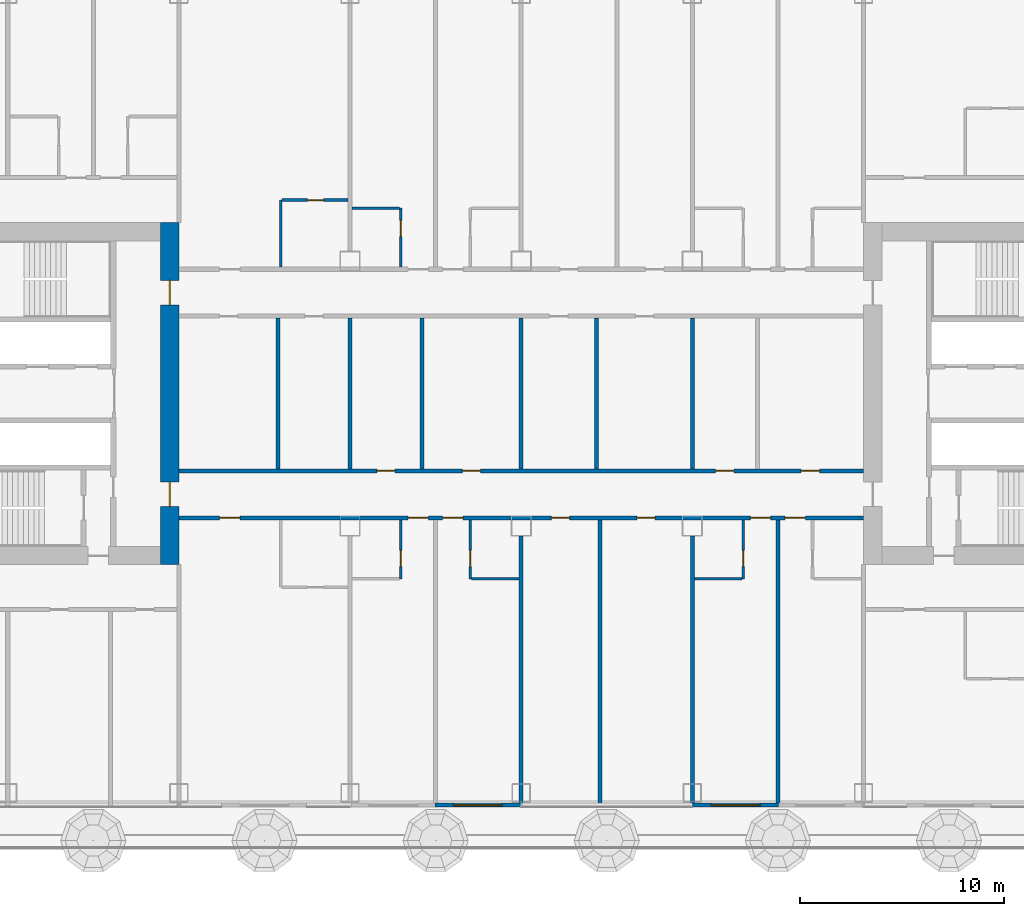
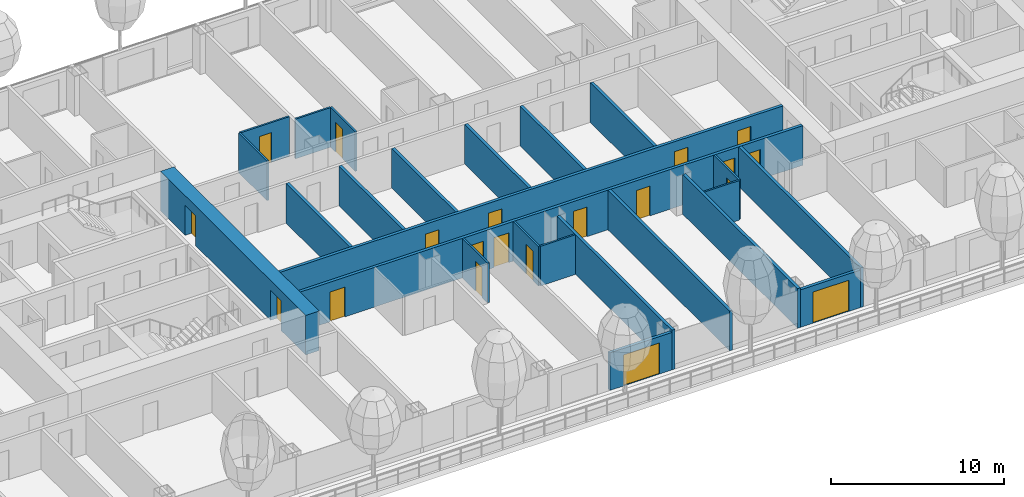
# One storey, part 14 of 36: 24 walls, 20 doors, 20 openings, 1 element without a shape of its own.
"""IFC4 building model written with IfcOpenShell, lengths in metres."""

from ifc_helpers import new_model, si_unit, direction, frame, frame_2d, origin, place, context, subcontext, project, spatial, rectangle, extrude, material, layer, layer_set, type_object, element, fill, aggregate, save


model = new_model("IFC4")

# Units and contexts
model_context = context("Model", 3, precision=1e-05, world=origin(), true_north=direction((0.0, 1.0)))
body_context = subcontext(model_context, "Body", "Model", "MODEL_VIEW")
ifc_project = project(units=[si_unit("LENGTHUNIT", "METRE"), si_unit("AREAUNIT", "SQUARE_METRE"), si_unit("VOLUMEUNIT", "CUBIC_METRE"), si_unit("PLANEANGLEUNIT", "RADIAN"), si_unit("MASSUNIT", "GRAM", prefix="KILO")], contexts=[model_context])

# Site, building, storey
site_placement = place(None, origin())
site = spatial("IfcSite", under=ifc_project, at=site_placement, CompositionType="ELEMENT")
building_placement = place(site_placement, origin())
building = spatial("IfcBuilding", under=site, at=building_placement, Name="Hakoniwa Tower and Hamabe Station Hall", CompositionType="ELEMENT")
storey_placement = place(building_placement, frame((0.0, 0.0, 26.199951171875)))
storey = spatial("IfcBuildingStorey", under=building, at=storey_placement, Name="L06", CompositionType="ELEMENT", Elevation=26.199951171875)

# Walls
ifc_material_1 = material(Name="Gypsum board partition", Category="gypsum")
ifc_layer_1 = layer(ifc_material_1, 0.125)
ifc_layer_set_1 = layer_set([ifc_layer_1], Name="Bathroom Partition 125")
wall_type_1 = type_object("IfcWallType", Name="Bathroom Partition 125", PredefinedType="PARTITIONING", material=ifc_layer_set_1)
for number, where, z_axis, x_axis, name in (
    (1, (-2.4375, -9.10009765625, 0.0), (0.0, 0.0, 1.0), (1.0, 0.0, 0.0), "GW-L06-011"),
    (2, (8.5, -9.10009765625, 0.0), (0.0, 0.0, 1.0), (1.0, 0.0, 0.0), "GW-L06-012"),
):
    element("IfcWall", number, at=place(storey_placement, frame(where, z_axis=z_axis, x_axis=x_axis)), inside=storey, type_object=wall_type_1, Name=name, PredefinedType="PARTITIONING", context=body_context, shape_type="SweptSolid", body=[
        extrude(rectangle(XDim=2.33740234375, YDim=0.125, at=frame_2d((1.168701171875, 0.0))), origin(), (0.0, 0.0, 1.0), 2.800048828125),
    ])
wall_1_placement = place(storey_placement, frame((-8.300048828125, 9.10009765625, 0.0), z_axis=(0.0, 0.0, 1.0), x_axis=(1.0, 0.0, 0.0)))
element("IfcWall", 3, at=wall_1_placement, inside=storey, type_object=wall_type_1, Name="GW-L06-034", PredefinedType="PARTITIONING", context=body_context, shape_type="SweptSolid", body=[
    extrude(rectangle(XDim=2.337646484375, YDim=0.125, at=frame_2d((1.1689453125, 0.0))), origin(), (0.0, 0.0, 1.0), 2.800048828125),
])

# Wall, opening, door
wall_2_placement = place(storey_placement, frame((-11.737548828125, 9.5, 0.0), z_axis=(0.0, 0.0, 1.0), x_axis=(1.0, 0.0, 0.0)))
wall_2 = element("IfcWall", 4, at=wall_2_placement, inside=storey, type_object=wall_type_1, Name="GW-L06-038", PredefinedType="PARTITIONING", context=body_context, shape_type="SweptSolid", body=[
    extrude(rectangle(XDim=3.237548828125, YDim=0.125, at=frame_2d((1.61865234375, 0.0))), origin(), (0.0, 0.0, 1.0), 2.800048828125),
])
opening_1_placement = place(wall_2_placement, frame((1.237548828125, 0.0, 0.0)))
opening_1 = element("IfcOpeningElement", 5, at=opening_1_placement, cuts=wall_2, Name="Opening GD-G1C0-52", PredefinedType="OPENING", context=body_context, shape_type="SweptSolid", body=[
    extrude(rectangle(XDim=0.800048828125, YDim=2.10009765625, at=frame_2d((0.39990234375, 1.050048828125))), frame((0.0, 0.072509765625, 0.0), z_axis=(0.0, -1.0, 0.0), x_axis=(1.0, 0.0, 0.0)), (0.0, 0.0, 1.0), 0.14501953125),
])
ifc_material_2 = material(Name="Timber door leaf", Category="wood")
door_type_1 = type_object("IfcDoorType", Name="Bathroom Door 800", OperationType="SINGLE_SWING_LEFT", PredefinedType="DOOR", material=ifc_material_2)
door_1_placement = place(opening_1_placement, origin())
door_1 = element("IfcDoor", 6, at=door_1_placement, inside=storey, type_object=door_type_1, Name="Door GD-G1C0-52", OperationType="SINGLE_SWING_LEFT", OverallHeight=2.10009765625, OverallWidth=0.800048828125, PredefinedType="DOOR", context=body_context, shape_type="SweptSolid", body=[
    extrude(rectangle(XDim=0.800048828125, YDim=2.10009765625, at=frame_2d((0.39990234375, 1.050048828125))), frame((0.0, 0.02490234375, 0.0), z_axis=(0.0, -1.0, 0.0), x_axis=(1.0, 0.0, 0.0)), (0.0, 0.0, 1.0), 0.050048828125),
])
fill(opening_1, door_1)

# Wall
wall_3_placement = place(storey_placement, frame((-11.800048828125, 6.199951171875, 0.0), z_axis=(0.0, 0.0, 1.0), x_axis=(0.0, 1.0, 0.0)))
element("IfcWall", 7, at=wall_3_placement, inside=storey, type_object=wall_type_1, Name="GW-L06-082", PredefinedType="PARTITIONING", context=body_context, shape_type="SweptSolid", body=[
    extrude(rectangle(XDim=3.300048828125, YDim=0.125, at=frame_2d((1.64990234375, 0.0))), origin(), (0.0, 0.0, 1.0), 2.800048828125),
])

# Wall, opening, door
wall_4_placement = place(storey_placement, frame((-5.89990234375, -9.10009765625, 0.0), z_axis=(0.0, 0.0, 1.0), x_axis=(0.0, 1.0, 0.0)))
wall_4 = element("IfcWall", 8, at=wall_4_placement, inside=storey, type_object=wall_type_1, Name="GW-L06-086", PredefinedType="PARTITIONING", context=body_context, shape_type="SweptSolid", body=[
    extrude(rectangle(XDim=2.900146484375, YDim=0.125, at=frame_2d((1.4501953125, 0.0))), origin(), (0.0, 0.0, 1.0), 2.800048828125),
])
opening_2_placement = place(wall_4_placement, frame((0.60009765625, 0.0, 0.0)))
opening_2 = element("IfcOpeningElement", 9, at=opening_2_placement, cuts=wall_4, Name="Opening GD-G1C0-77", PredefinedType="OPENING", context=body_context, shape_type="SweptSolid", body=[
    extrude(rectangle(XDim=0.800048828125, YDim=2.10009765625, at=frame_2d((0.39990234375, 1.050048828125))), frame((0.0, 0.072509765625, 0.0), z_axis=(0.0, -1.0, 0.0), x_axis=(1.0, 0.0, 0.0)), (0.0, 0.0, 1.0), 0.14501953125),
])
door_2_placement = place(opening_2_placement, origin())
door_2 = element("IfcDoor", 10, at=door_2_placement, inside=storey, type_object=door_type_1, Name="Door GD-G1C0-77", OperationType="SINGLE_SWING_RIGHT", OverallHeight=2.10009765625, OverallWidth=0.800048828125, PredefinedType="DOOR", context=body_context, shape_type="SweptSolid", body=[
    extrude(rectangle(XDim=0.800048828125, YDim=2.10009765625, at=frame_2d((0.39990234375, 1.050048828125))), frame((0.0, 0.02490234375, 0.0), z_axis=(0.0, -1.0, 0.0), x_axis=(1.0, 0.0, 0.0)), (0.0, 0.0, 1.0), 0.050048828125),
])
fill(opening_2, door_2)

wall_5_placement = place(storey_placement, frame((-5.89990234375, 6.199951171875, 0.0), z_axis=(0.0, 0.0, 1.0), x_axis=(0.0, 1.0, 0.0)))
wall_5 = element("IfcWall", 11, at=wall_5_placement, inside=storey, type_object=wall_type_1, Name="GW-L06-087", PredefinedType="PARTITIONING", context=body_context, shape_type="SweptSolid", body=[
    extrude(rectangle(XDim=2.900146484375, YDim=0.125, at=frame_2d((1.4501953125, 0.0))), origin(), (0.0, 0.0, 1.0), 2.800048828125),
])
opening_3_placement = place(wall_5_placement, frame((1.5, 0.0, 0.0)))
opening_3 = element("IfcOpeningElement", 12, at=opening_3_placement, cuts=wall_5, Name="Opening GD-G1C0-78", PredefinedType="OPENING", context=body_context, shape_type="SweptSolid", body=[
    extrude(rectangle(XDim=0.800048828125, YDim=2.10009765625, at=frame_2d((0.39990234375, 1.050048828125))), frame((0.0, 0.072509765625, 0.0), z_axis=(0.0, -1.0, 0.0), x_axis=(1.0, 0.0, 0.0)), (0.0, 0.0, 1.0), 0.14501953125),
])
door_3_placement = place(opening_3_placement, origin())
door_3 = element("IfcDoor", 13, at=door_3_placement, inside=storey, type_object=door_type_1, Name="Door GD-G1C0-78", OperationType="SINGLE_SWING_LEFT", OverallHeight=2.10009765625, OverallWidth=0.800048828125, PredefinedType="DOOR", context=body_context, shape_type="SweptSolid", body=[
    extrude(rectangle(XDim=0.800048828125, YDim=2.10009765625, at=frame_2d((0.39990234375, 1.050048828125))), frame((0.0, 0.02490234375, 0.0), z_axis=(0.0, -1.0, 0.0), x_axis=(1.0, 0.0, 0.0)), (0.0, 0.0, 1.0), 0.050048828125),
])
fill(opening_3, door_3)

wall_6_placement = place(storey_placement, frame((-2.5, -9.10009765625, 0.0), z_axis=(0.0, 0.0, 1.0), x_axis=(0.0, 1.0, 0.0)))
wall_6 = element("IfcWall", 14, at=wall_6_placement, inside=storey, type_object=wall_type_1, Name="GW-L06-091", PredefinedType="PARTITIONING", context=body_context, shape_type="SweptSolid", body=[
    extrude(rectangle(XDim=2.900146484375, YDim=0.125, at=frame_2d((1.4501953125, 0.0))), origin(), (0.0, 0.0, 1.0), 2.800048828125),
])
opening_4_placement = place(wall_6_placement, frame((0.60009765625, 0.0, 0.0)))
opening_4 = element("IfcOpeningElement", 15, at=opening_4_placement, cuts=wall_6, Name="Opening GD-G1C0-79", PredefinedType="OPENING", context=body_context, shape_type="SweptSolid", body=[
    extrude(rectangle(XDim=0.800048828125, YDim=2.10009765625, at=frame_2d((0.39990234375, 1.050048828125))), frame((0.0, 0.072509765625, 0.0), z_axis=(0.0, -1.0, 0.0), x_axis=(1.0, 0.0, 0.0)), (0.0, 0.0, 1.0), 0.14501953125),
])
door_4_placement = place(opening_4_placement, origin())
door_4 = element("IfcDoor", 16, at=door_4_placement, inside=storey, type_object=door_type_1, Name="Door GD-G1C0-79", OperationType="SINGLE_SWING_LEFT", OverallHeight=2.10009765625, OverallWidth=0.800048828125, PredefinedType="DOOR", context=body_context, shape_type="SweptSolid", body=[
    extrude(rectangle(XDim=0.800048828125, YDim=2.10009765625, at=frame_2d((0.39990234375, 1.050048828125))), frame((0.0, 0.02490234375, 0.0), z_axis=(0.0, -1.0, 0.0), x_axis=(1.0, 0.0, 0.0)), (0.0, 0.0, 1.0), 0.050048828125),
])
fill(opening_4, door_4)

wall_7_placement = place(storey_placement, frame((10.89990234375, -9.10009765625, 0.0), z_axis=(0.0, 0.0, 1.0), x_axis=(0.0, 1.0, 0.0)))
wall_7 = element("IfcWall", 17, at=wall_7_placement, inside=storey, type_object=wall_type_1, Name="GW-L06-102", PredefinedType="PARTITIONING", context=body_context, shape_type="SweptSolid", body=[
    extrude(rectangle(XDim=2.900146484375, YDim=0.125, at=frame_2d((1.4501953125, 0.0))), origin(), (0.0, 0.0, 1.0), 2.800048828125),
])
opening_5_placement = place(wall_7_placement, frame((0.60009765625, 0.0, 0.0)))
opening_5 = element("IfcOpeningElement", 18, at=opening_5_placement, cuts=wall_7, Name="Opening GD-G1C0-81", PredefinedType="OPENING", context=body_context, shape_type="SweptSolid", body=[
    extrude(rectangle(XDim=0.800048828125, YDim=2.10009765625, at=frame_2d((0.39990234375, 1.050048828125))), frame((0.0, 0.072509765625, 0.0), z_axis=(0.0, -1.0, 0.0), x_axis=(1.0, 0.0, 0.0)), (0.0, 0.0, 1.0), 0.14501953125),
])
door_5_placement = place(opening_5_placement, origin())
door_5 = element("IfcDoor", 19, at=door_5_placement, inside=storey, type_object=door_type_1, Name="Door GD-G1C0-81", OperationType="SINGLE_SWING_RIGHT", OverallHeight=2.10009765625, OverallWidth=0.800048828125, PredefinedType="DOOR", context=body_context, shape_type="SweptSolid", body=[
    extrude(rectangle(XDim=0.800048828125, YDim=2.10009765625, at=frame_2d((0.39990234375, 1.050048828125))), frame((0.0, 0.02490234375, 0.0), z_axis=(0.0, -1.0, 0.0), x_axis=(1.0, 0.0, 0.0)), (0.0, 0.0, 1.0), 0.050048828125),
])
fill(opening_5, door_5)

# Wall, openings, doors
ifc_material_3 = material(Name="Concrete C80", Category="concrete")
ifc_layer_2 = layer(ifc_material_3, 0.89990234375)
ifc_layer_set_2 = layer_set([ifc_layer_2], Name="CORE WALL 900 C80")
wall_type_2 = type_object("IfcWallType", Name="CORE WALL 900 C80", PredefinedType="SHEAR", material=ifc_layer_set_2)
wall_8_placement = place(storey_placement, frame((-17.25, -8.39990234375, 0.0), z_axis=(0.0, 0.0, 1.0), x_axis=(0.0, 1.0, 0.0)))
wall_8 = element("IfcWall", 20, at=wall_8_placement, inside=storey, type_object=wall_type_2, Name="Core wall INNER west", PredefinedType="SHEAR", context=body_context, shape_type="SweptSolid", body=[
    extrude(rectangle(XDim=16.7998046875, YDim=0.89990234375, at=frame_2d((8.39990234375, 0.0))), origin(), (0.0, 0.0, 1.0), 2.800048828125),
])
opening_6_placement = place(wall_8_placement, frame((12.75, 0.0, 0.0)))
opening_6 = element("IfcOpeningElement", 21, at=opening_6_placement, cuts=wall_8, Name="Opening CD-W-IN1-12", PredefinedType="OPENING", context=body_context, shape_type="SweptSolid", body=[
    extrude(rectangle(XDim=1.199951171875, YDim=2.10009765625, at=frame_2d((0.60009765625, 1.050048828125))), frame((0.0, 0.4599609375, 0.0), z_axis=(0.0, -1.0, 0.0), x_axis=(1.0, 0.0, 0.0)), (0.0, 0.0, 1.0), 0.919921875),
])
opening_7_placement = place(wall_8_placement, frame((2.85009765625, 0.0, 0.0)))
opening_7 = element("IfcOpeningElement", 22, at=opening_7_placement, cuts=wall_8, Name="Opening CD-W-IN2-12", PredefinedType="OPENING", context=body_context, shape_type="SweptSolid", body=[
    extrude(rectangle(XDim=1.199951171875, YDim=2.10009765625, at=frame_2d((0.60009765625, 1.050048828125))), frame((0.0, 0.4599609375, 0.0), z_axis=(0.0, -1.0, 0.0), x_axis=(1.0, 0.0, 0.0)), (0.0, 0.0, 1.0), 0.919921875),
])
ifc_material_4 = material(Name="Steel fire door", Category="steel")
door_type_2 = type_object("IfcDoorType", Name="CORE DOOR 1200 FD60", OperationType="DOUBLE_DOOR_SINGLE_SWING", PredefinedType="DOOR", material=ifc_material_4)
door_6_placement = place(opening_6_placement, origin())
door_6 = element("IfcDoor", 23, at=door_6_placement, inside=storey, type_object=door_type_2, Name="Lift lobby door", OperationType="DOUBLE_DOOR_SINGLE_SWING", OverallHeight=2.10009765625, OverallWidth=1.199951171875, PredefinedType="DOOR", context=body_context, shape_type="SweptSolid", body=[
    extrude(rectangle(XDim=1.199951171875, YDim=2.10009765625, at=frame_2d((0.60009765625, 1.050048828125))), frame((0.0, 0.02490234375, 0.0), z_axis=(0.0, -1.0, 0.0), x_axis=(1.0, 0.0, 0.0)), (0.0, 0.0, 1.0), 0.050048828125),
])
fill(opening_6, door_6)
door_7_placement = place(opening_7_placement, origin())
door_7 = element("IfcDoor", 24, at=door_7_placement, inside=storey, type_object=door_type_2, Name="Lift lobby door", OperationType="DOUBLE_DOOR_SINGLE_SWING", OverallHeight=2.10009765625, OverallWidth=1.199951171875, PredefinedType="DOOR", context=body_context, shape_type="SweptSolid", body=[
    extrude(rectangle(XDim=1.199951171875, YDim=2.10009765625, at=frame_2d((0.60009765625, 1.050048828125))), frame((0.0, 0.02490234375, 0.0), z_axis=(0.0, -1.0, 0.0), x_axis=(1.0, 0.0, 0.0)), (0.0, 0.0, 1.0), 0.050048828125),
])
fill(opening_7, door_7)

ifc_material_5 = material(Name="Fire-rated gypsum board partition", Category="gypsum")
ifc_layer_3 = layer(ifc_material_5, 0.199951171875)
ifc_layer_set_3 = layer_set([ifc_layer_3], Name="Corridor Wall 200")
wall_type_3 = type_object("IfcWallType", Name="Corridor Wall 200", PredefinedType="PARTITIONING", material=ifc_layer_set_3)
wall_9_placement = place(storey_placement, frame((-16.800048828125, -6.10009765625, 0.0), z_axis=(0.0, 0.0, 1.0), x_axis=(1.0, 0.0, 0.0)))
wall_9 = element("IfcWall", 25, at=wall_9_placement, inside=storey, type_object=wall_type_3, Name="GW-L06-016", PredefinedType="PARTITIONING", context=body_context, shape_type="SweptSolid", body=[
    extrude(rectangle(XDim=33.60009765625, YDim=0.199951171875, at=frame_2d((16.800048828125, 0.0))), origin(), (0.0, 0.0, 1.0), 2.800048828125),
])
opening_8_placement = place(wall_9_placement, frame((2.0, 0.0, 0.0)))
opening_8 = element("IfcOpeningElement", 26, at=opening_8_placement, cuts=wall_9, Name="Opening GD-G1C0-20", PredefinedType="OPENING", context=body_context, shape_type="SweptSolid", body=[
    extrude(rectangle(XDim=1.0, YDim=2.10009765625, at=frame_2d((0.5, 1.050048828125))), frame((0.0, 0.10986328125, 0.0), z_axis=(0.0, -1.0, 0.0), x_axis=(1.0, 0.0, 0.0)), (0.0, 0.0, 1.0), 0.219970703125),
])
opening_9_placement = place(wall_9_placement, frame((11.25, 0.0, 0.0)))
opening_9 = element("IfcOpeningElement", 27, at=opening_9_placement, cuts=wall_9, Name="Opening GD-G1C0-21", PredefinedType="OPENING", context=body_context, shape_type="SweptSolid", body=[
    extrude(rectangle(XDim=1.0, YDim=2.10009765625, at=frame_2d((0.5, 1.050048828125))), frame((0.0, 0.10986328125, 0.0), z_axis=(0.0, -1.0, 0.0), x_axis=(1.0, 0.0, 0.0)), (0.0, 0.0, 1.0), 0.219970703125),
])
opening_10_placement = place(wall_9_placement, frame((12.949951171875, 0.0, 0.0)))
opening_10 = element("IfcOpeningElement", 28, at=opening_10_placement, cuts=wall_9, Name="Opening GD-G1C0-22", PredefinedType="OPENING", context=body_context, shape_type="SweptSolid", body=[
    extrude(rectangle(XDim=1.0, YDim=2.10009765625, at=frame_2d((0.5, 1.050048828125))), frame((0.0, 0.10986328125, 0.0), z_axis=(0.0, -1.0, 0.0), x_axis=(1.0, 0.0, 0.0)), (0.0, 0.0, 1.0), 0.219970703125),
])
opening_11_placement = place(wall_9_placement, frame((18.280029296875, 0.0, 0.0)))
opening_11 = element("IfcOpeningElement", 29, at=opening_11_placement, cuts=wall_9, Name="Opening GD-G1C0-23", PredefinedType="OPENING", context=body_context, shape_type="SweptSolid", body=[
    extrude(rectangle(XDim=0.89990234375, YDim=2.10009765625, at=frame_2d((0.449951171875, 1.050048828125))), frame((0.0, 0.10986328125, 0.0), z_axis=(0.0, -1.0, 0.0), x_axis=(1.0, 0.0, 0.0)), (0.0, 0.0, 1.0), 0.219970703125),
])
opening_12_placement = place(wall_9_placement, frame((22.47998046875, 0.0, 0.0)))
opening_12 = element("IfcOpeningElement", 30, at=opening_12_placement, cuts=wall_9, Name="Opening GD-G1C0-24", PredefinedType="OPENING", context=body_context, shape_type="SweptSolid", body=[
    extrude(rectangle(XDim=0.89990234375, YDim=2.10009765625, at=frame_2d((0.449951171875, 1.050048828125))), frame((0.0, 0.10986328125, 0.0), z_axis=(0.0, -1.0, 0.0), x_axis=(1.0, 0.0, 0.0)), (0.0, 0.0, 1.0), 0.219970703125),
])
opening_13_placement = place(wall_9_placement, frame((28.050048828125, 0.0, 0.0)))
opening_13 = element("IfcOpeningElement", 31, at=opening_13_placement, cuts=wall_9, Name="Opening GD-G1C0-25", PredefinedType="OPENING", context=body_context, shape_type="SweptSolid", body=[
    extrude(rectangle(XDim=1.0, YDim=2.10009765625, at=frame_2d((0.5, 1.050048828125))), frame((0.0, 0.10986328125, 0.0), z_axis=(0.0, -1.0, 0.0), x_axis=(1.0, 0.0, 0.0)), (0.0, 0.0, 1.0), 0.219970703125),
])
opening_14_placement = place(wall_9_placement, frame((29.75, 0.0, 0.0)))
opening_14 = element("IfcOpeningElement", 32, at=opening_14_placement, cuts=wall_9, Name="Opening GD-G1C0-26", PredefinedType="OPENING", context=body_context, shape_type="SweptSolid", body=[
    extrude(rectangle(XDim=1.0, YDim=2.10009765625, at=frame_2d((0.5, 1.050048828125))), frame((0.0, 0.10986328125, 0.0), z_axis=(0.0, -1.0, 0.0), x_axis=(1.0, 0.0, 0.0)), (0.0, 0.0, 1.0), 0.219970703125),
])
ifc_material_6 = material(Name="Timber door leaf", Category="wood")
door_type_3 = type_object("IfcDoorType", Name="Guest Entrance Door 1000", OperationType="SINGLE_SWING_LEFT", PredefinedType="DOOR", material=ifc_material_6)
door_8_placement = place(opening_8_placement, origin())
door_8 = element("IfcDoor", 33, at=door_8_placement, inside=storey, type_object=door_type_3, Name="Door GD-G1C0-20", OperationType="SINGLE_SWING_RIGHT", OverallHeight=2.10009765625, OverallWidth=1.0, PredefinedType="DOOR", context=body_context, shape_type="SweptSolid", body=[
    extrude(rectangle(XDim=1.0, YDim=2.10009765625, at=frame_2d((0.5, 1.050048828125))), frame((0.0, 0.02490234375, 0.0), z_axis=(0.0, -1.0, 0.0), x_axis=(1.0, 0.0, 0.0)), (0.0, 0.0, 1.0), 0.050048828125),
])
fill(opening_8, door_8)
door_9_placement = place(opening_9_placement, origin())
door_9 = element("IfcDoor", 34, at=door_9_placement, inside=storey, type_object=door_type_3, Name="Door GD-G1C0-21", OperationType="SINGLE_SWING_LEFT", OverallHeight=2.10009765625, OverallWidth=1.0, PredefinedType="DOOR", context=body_context, shape_type="SweptSolid", body=[
    extrude(rectangle(XDim=1.0, YDim=2.10009765625, at=frame_2d((0.5, 1.050048828125))), frame((0.0, 0.02490234375, 0.0), z_axis=(0.0, -1.0, 0.0), x_axis=(1.0, 0.0, 0.0)), (0.0, 0.0, 1.0), 0.050048828125),
])
fill(opening_9, door_9)
door_10_placement = place(opening_10_placement, origin())
door_10 = element("IfcDoor", 35, at=door_10_placement, inside=storey, type_object=door_type_3, Name="Door GD-G1C0-22", OperationType="SINGLE_SWING_RIGHT", OverallHeight=2.10009765625, OverallWidth=1.0, PredefinedType="DOOR", context=body_context, shape_type="SweptSolid", body=[
    extrude(rectangle(XDim=1.0, YDim=2.10009765625, at=frame_2d((0.5, 1.050048828125))), frame((0.0, 0.02490234375, 0.0), z_axis=(0.0, -1.0, 0.0), x_axis=(1.0, 0.0, 0.0)), (0.0, 0.0, 1.0), 0.050048828125),
])
fill(opening_10, door_10)
door_11_placement = place(opening_13_placement, origin())
door_11 = element("IfcDoor", 36, at=door_11_placement, inside=storey, type_object=door_type_3, Name="Door GD-G1C0-25", OperationType="SINGLE_SWING_LEFT", OverallHeight=2.10009765625, OverallWidth=1.0, PredefinedType="DOOR", context=body_context, shape_type="SweptSolid", body=[
    extrude(rectangle(XDim=1.0, YDim=2.10009765625, at=frame_2d((0.5, 1.050048828125))), frame((0.0, 0.02490234375, 0.0), z_axis=(0.0, -1.0, 0.0), x_axis=(1.0, 0.0, 0.0)), (0.0, 0.0, 1.0), 0.050048828125),
])
fill(opening_13, door_11)
door_12_placement = place(opening_14_placement, origin())
door_12 = element("IfcDoor", 37, at=door_12_placement, inside=storey, type_object=door_type_3, Name="Door GD-G1C0-26", OperationType="SINGLE_SWING_RIGHT", OverallHeight=2.10009765625, OverallWidth=1.0, PredefinedType="DOOR", context=body_context, shape_type="SweptSolid", body=[
    extrude(rectangle(XDim=1.0, YDim=2.10009765625, at=frame_2d((0.5, 1.050048828125))), frame((0.0, 0.02490234375, 0.0), z_axis=(0.0, -1.0, 0.0), x_axis=(1.0, 0.0, 0.0)), (0.0, 0.0, 1.0), 0.050048828125),
])
fill(opening_14, door_12)
ifc_material_7 = material(Name="Timber door leaf", Category="wood")
door_type_4 = type_object("IfcDoorType", Name="Service Door 900", OperationType="SINGLE_SWING_LEFT", PredefinedType="DOOR", material=ifc_material_7)
door_13_placement = place(opening_11_placement, origin())
door_13 = element("IfcDoor", 38, at=door_13_placement, inside=storey, type_object=door_type_4, Name="Door GD-G1C0-23", OperationType="SINGLE_SWING_RIGHT", OverallHeight=2.10009765625, OverallWidth=0.89990234375, PredefinedType="DOOR", context=body_context, shape_type="SweptSolid", body=[
    extrude(rectangle(XDim=0.89990234375, YDim=2.10009765625, at=frame_2d((0.449951171875, 1.050048828125))), frame((0.0, 0.02490234375, 0.0), z_axis=(0.0, -1.0, 0.0), x_axis=(1.0, 0.0, 0.0)), (0.0, 0.0, 1.0), 0.050048828125),
])
fill(opening_11, door_13)
door_14_placement = place(opening_12_placement, origin())
door_14 = element("IfcDoor", 39, at=door_14_placement, inside=storey, type_object=door_type_4, Name="Door GD-G1C0-24", OperationType="SINGLE_SWING_RIGHT", OverallHeight=2.10009765625, OverallWidth=0.89990234375, PredefinedType="DOOR", context=body_context, shape_type="SweptSolid", body=[
    extrude(rectangle(XDim=0.89990234375, YDim=2.10009765625, at=frame_2d((0.449951171875, 1.050048828125))), frame((0.0, 0.02490234375, 0.0), z_axis=(0.0, -1.0, 0.0), x_axis=(1.0, 0.0, 0.0)), (0.0, 0.0, 1.0), 0.050048828125),
])
fill(opening_12, door_14)

wall_10_placement = place(storey_placement, frame((-16.800048828125, -3.800048828125, 0.0), z_axis=(0.0, 0.0, 1.0), x_axis=(1.0, 0.0, 0.0)))
wall_10 = element("IfcWall", 40, at=wall_10_placement, inside=storey, type_object=wall_type_3, Name="GW-L06-022", PredefinedType="PARTITIONING", context=body_context, shape_type="SweptSolid", body=[
    extrude(rectangle(XDim=33.60009765625, YDim=0.199951171875, at=frame_2d((16.800048828125, 0.0))), origin(), (0.0, 0.0, 1.0), 2.800048828125),
])
opening_15_placement = place(wall_10_placement, frame((9.715087890625, 0.0, 0.0)))
opening_15 = element("IfcOpeningElement", 41, at=opening_15_placement, cuts=wall_10, Name="Opening GD-G1C0-30", PredefinedType="OPENING", context=body_context, shape_type="SweptSolid", body=[
    extrude(rectangle(XDim=0.89990234375, YDim=2.10009765625, at=frame_2d((0.449951171875, 1.050048828125))), frame((0.0, 0.10986328125, 0.0), z_axis=(0.0, -1.0, 0.0), x_axis=(1.0, 0.0, 0.0)), (0.0, 0.0, 1.0), 0.219970703125),
])
opening_16_placement = place(wall_10_placement, frame((13.9150390625, 0.0, 0.0)))
opening_16 = element("IfcOpeningElement", 42, at=opening_16_placement, cuts=wall_10, Name="Opening GD-G1C0-31", PredefinedType="OPENING", context=body_context, shape_type="SweptSolid", body=[
    extrude(rectangle(XDim=0.89990234375, YDim=2.10009765625, at=frame_2d((0.449951171875, 1.050048828125))), frame((0.0, 0.10986328125, 0.0), z_axis=(0.0, -1.0, 0.0), x_axis=(1.0, 0.0, 0.0)), (0.0, 0.0, 1.0), 0.219970703125),
])
opening_17_placement = place(wall_10_placement, frame((26.344970703125, 0.0, 0.0)))
opening_17 = element("IfcOpeningElement", 43, at=opening_17_placement, cuts=wall_10, Name="Opening GD-G1C0-32", PredefinedType="OPENING", context=body_context, shape_type="SweptSolid", body=[
    extrude(rectangle(XDim=0.89990234375, YDim=2.10009765625, at=frame_2d((0.449951171875, 1.050048828125))), frame((0.0, 0.10986328125, 0.0), z_axis=(0.0, -1.0, 0.0), x_axis=(1.0, 0.0, 0.0)), (0.0, 0.0, 1.0), 0.219970703125),
])
opening_18_placement = place(wall_10_placement, frame((30.544921875, 0.0, 0.0)))
opening_18 = element("IfcOpeningElement", 44, at=opening_18_placement, cuts=wall_10, Name="Opening GD-G1C0-33", PredefinedType="OPENING", context=body_context, shape_type="SweptSolid", body=[
    extrude(rectangle(XDim=0.89990234375, YDim=2.10009765625, at=frame_2d((0.449951171875, 1.050048828125))), frame((0.0, 0.10986328125, 0.0), z_axis=(0.0, -1.0, 0.0), x_axis=(1.0, 0.0, 0.0)), (0.0, 0.0, 1.0), 0.219970703125),
])
door_15_placement = place(opening_15_placement, origin())
door_15 = element("IfcDoor", 45, at=door_15_placement, inside=storey, type_object=door_type_4, Name="Door GD-G1C0-30", OperationType="SINGLE_SWING_RIGHT", OverallHeight=2.10009765625, OverallWidth=0.89990234375, PredefinedType="DOOR", context=body_context, shape_type="SweptSolid", body=[
    extrude(rectangle(XDim=0.89990234375, YDim=2.10009765625, at=frame_2d((0.449951171875, 1.050048828125))), frame((0.0, 0.02490234375, 0.0), z_axis=(0.0, -1.0, 0.0), x_axis=(1.0, 0.0, 0.0)), (0.0, 0.0, 1.0), 0.050048828125),
])
fill(opening_15, door_15)
door_16_placement = place(opening_16_placement, origin())
door_16 = element("IfcDoor", 46, at=door_16_placement, inside=storey, type_object=door_type_4, Name="Door GD-G1C0-31", OperationType="SINGLE_SWING_LEFT", OverallHeight=2.10009765625, OverallWidth=0.89990234375, PredefinedType="DOOR", context=body_context, shape_type="SweptSolid", body=[
    extrude(rectangle(XDim=0.89990234375, YDim=2.10009765625, at=frame_2d((0.449951171875, 1.050048828125))), frame((0.0, 0.02490234375, 0.0), z_axis=(0.0, -1.0, 0.0), x_axis=(1.0, 0.0, 0.0)), (0.0, 0.0, 1.0), 0.050048828125),
])
fill(opening_16, door_16)
door_17_placement = place(opening_17_placement, origin())
door_17 = element("IfcDoor", 47, at=door_17_placement, inside=storey, type_object=door_type_4, Name="Door GD-G1C0-32", OperationType="SINGLE_SWING_RIGHT", OverallHeight=2.10009765625, OverallWidth=0.89990234375, PredefinedType="DOOR", context=body_context, shape_type="SweptSolid", body=[
    extrude(rectangle(XDim=0.89990234375, YDim=2.10009765625, at=frame_2d((0.449951171875, 1.050048828125))), frame((0.0, 0.02490234375, 0.0), z_axis=(0.0, -1.0, 0.0), x_axis=(1.0, 0.0, 0.0)), (0.0, 0.0, 1.0), 0.050048828125),
])
fill(opening_17, door_17)
door_18_placement = place(opening_18_placement, origin())
door_18 = element("IfcDoor", 48, at=door_18_placement, inside=storey, type_object=door_type_4, Name="Door GD-G1C0-33", OperationType="SINGLE_SWING_LEFT", OverallHeight=2.10009765625, OverallWidth=0.89990234375, PredefinedType="DOOR", context=body_context, shape_type="SweptSolid", body=[
    extrude(rectangle(XDim=0.89990234375, YDim=2.10009765625, at=frame_2d((0.449951171875, 1.050048828125))), frame((0.0, 0.02490234375, 0.0), z_axis=(0.0, -1.0, 0.0), x_axis=(1.0, 0.0, 0.0)), (0.0, 0.0, 1.0), 0.050048828125),
])
fill(opening_18, door_18)

# Curtain wall, walls, openings, doors
ifc_material_8 = material(Name="Dark low-e laminated glass", Category="glass")
ifc_layer_4 = layer(ifc_material_8, 0.199951171875)
ifc_layer_set_4 = layer_set([ifc_layer_4], Name="CW-1 UNITISED GUEST")
curtain_wall_type = type_object("IfcCurtainWallType", Name="CW-1 UNITISED GUEST", PredefinedType="NOTDEFINED", material=ifc_layer_set_4)
curtain_wall_placement = place(storey_placement, origin())
curtain_wall = element("IfcCurtainWall", 49, at=curtain_wall_placement, inside=storey, type_object=curtain_wall_type, Name="CW-1 curtain wall", PredefinedType="NOTDEFINED")
ifc_material_9 = material(Name="Dark glass-faced aluminium panel", Category="aluminium")
ifc_layer_5 = layer(ifc_material_9, 0.199951171875)
ifc_layer_set_5 = layer_set([ifc_layer_5], Name="DOOR BAY WALL")
wall_type_4 = type_object("IfcWallType", Name="DOOR BAY WALL", PredefinedType="NOTDEFINED", material=ifc_layer_set_5)
wall_11_placement = place(storey_placement, frame((-4.239990234375, -20.199951171875, 0.0), z_axis=(0.0, 0.0, 1.0), x_axis=(1.0, 0.0, 0.0)))
wall_11 = element("IfcWall", 50, at=wall_11_placement, type_object=wall_type_4, Name="Door bay wall", PredefinedType="NOTDEFINED", context=body_context, shape_type="SweptSolid", body=[
    extrude(rectangle(XDim=4.219970703125, YDim=0.199951171875, at=frame_2d((2.10986328125, 0.0))), origin(), (0.0, 0.0, 1.0), 2.650146484375),
])
opening_19_placement = place(wall_11_placement, frame((0.909912109375, 0.0, 0.0)))
opening_19 = element("IfcOpeningElement", 51, at=opening_19_placement, cuts=wall_11, Name="Opening BD-S07-8", PredefinedType="OPENING", context=body_context, shape_type="SweptSolid", body=[
    extrude(rectangle(XDim=2.39990234375, YDim=2.199951171875, at=frame_2d((1.199951171875, 1.10009765625))), frame((0.0, 0.10986328125, 0.0), z_axis=(0.0, -1.0, 0.0), x_axis=(1.0, 0.0, 0.0)), (0.0, 0.0, 1.0), 0.219970703125),
])
ifc_material_10 = material(Name="Dark low-e laminated glass", Category="glass")
door_type_5 = type_object("IfcDoorType", Name="BALCONY SLIDING DOOR 2400X2200", OperationType="SLIDING_TO_LEFT", PredefinedType="DOOR", material=ifc_material_10)
door_19_placement = place(opening_19_placement, frame((2.39990234375, 0.0, 0.0), z_axis=(0.0, 0.0, 1.0), x_axis=(-1.0, 0.0, 0.0)))
door_19 = element("IfcDoor", 52, at=door_19_placement, inside=storey, type_object=door_type_5, Name="Balcony sliding door", OperationType="SLIDING_TO_LEFT", OverallHeight=2.199951171875, OverallWidth=2.39990234375, PredefinedType="DOOR", context=body_context, shape_type="SweptSolid", body=[
    extrude(rectangle(XDim=2.39990234375, YDim=2.199951171875, at=frame_2d((1.199951171875, 1.10009765625))), frame((0.0, 0.02490234375, 0.0), z_axis=(0.0, -1.0, 0.0), x_axis=(1.0, 0.0, 0.0)), (0.0, 0.0, 1.0), 0.050048828125),
])
fill(opening_19, door_19)
wall_12_placement = place(storey_placement, frame((8.419921875, -20.199951171875, 0.0), z_axis=(0.0, 0.0, 1.0), x_axis=(1.0, 0.0, 0.0)))
wall_12 = element("IfcWall", 53, at=wall_12_placement, type_object=wall_type_4, Name="Door bay wall", PredefinedType="NOTDEFINED", context=body_context, shape_type="SweptSolid", body=[
    extrude(rectangle(XDim=4.219970703125, YDim=0.199951171875, at=frame_2d((2.10986328125, 0.0))), origin(), (0.0, 0.0, 1.0), 2.650146484375),
])
opening_20_placement = place(wall_12_placement, frame((0.909912109375, 0.0, 0.0)))
opening_20 = element("IfcOpeningElement", 54, at=opening_20_placement, cuts=wall_12, Name="Opening BD-S07-9", PredefinedType="OPENING", context=body_context, shape_type="SweptSolid", body=[
    extrude(rectangle(XDim=2.39990234375, YDim=2.199951171875, at=frame_2d((1.199951171875, 1.10009765625))), frame((0.0, 0.10986328125, 0.0), z_axis=(0.0, -1.0, 0.0), x_axis=(1.0, 0.0, 0.0)), (0.0, 0.0, 1.0), 0.219970703125),
])
door_20_placement = place(opening_20_placement, frame((2.39990234375, 0.0, 0.0), z_axis=(0.0, 0.0, 1.0), x_axis=(-1.0, 0.0, 0.0)))
door_20 = element("IfcDoor", 55, at=door_20_placement, inside=storey, type_object=door_type_5, Name="Balcony sliding door", OperationType="SLIDING_TO_LEFT", OverallHeight=2.199951171875, OverallWidth=2.39990234375, PredefinedType="DOOR", context=body_context, shape_type="SweptSolid", body=[
    extrude(rectangle(XDim=2.39990234375, YDim=2.199951171875, at=frame_2d((1.199951171875, 1.10009765625))), frame((0.0, 0.02490234375, 0.0), z_axis=(0.0, -1.0, 0.0), x_axis=(1.0, 0.0, 0.0)), (0.0, 0.0, 1.0), 0.050048828125),
])
fill(opening_20, door_20)
aggregate(curtain_wall, [wall_11, wall_12])

# Walls
ifc_material_11 = material(Name="Fire-rated gypsum board partition", Category="gypsum")
ifc_layer_6 = layer(ifc_material_11, 0.199951171875)
ifc_layer_set_6 = layer_set([ifc_layer_6], Name="Party Wall 200")
wall_type_5 = type_object("IfcWallType", Name="Party Wall 200", PredefinedType="PARTITIONING", material=ifc_layer_set_6)
for number, where, z_axis, x_axis, name in (
    (56, (-11.929931640625, -3.699951171875, 0.0), (0.0, 0.0, 1.0), (0.0, 1.0, 0.0), "GW-L06-080"),
    (57, (-8.39990234375, -3.699951171875, 0.0), (0.0, 0.0, 1.0), (0.0, 1.0, 0.0), "GW-L06-084"),
    (58, (-4.8701171875, -3.699951171875, 0.0), (0.0, 0.0, 1.0), (0.0, 1.0, 0.0), "GW-L06-088"),
):
    element("IfcWall", number, at=place(storey_placement, frame(where, z_axis=z_axis, x_axis=x_axis)), inside=storey, type_object=wall_type_5, Name=name, PredefinedType="PARTITIONING", context=body_context, shape_type="SweptSolid", body=[
        extrude(rectangle(XDim=7.39990234375, YDim=0.199951171875, at=frame_2d((3.699951171875, 0.0))), origin(), (0.0, 0.0, 1.0), 2.800048828125),
    ])
wall_13_placement = place(storey_placement, frame((0.0, -20.300048828125, 0.0), z_axis=(0.0, 0.0, 1.0), x_axis=(0.0, 1.0, 0.0)))
element("IfcWall", 59, at=wall_13_placement, inside=storey, type_object=wall_type_5, Name="GW-L06-093", PredefinedType="PARTITIONING", context=body_context, shape_type="SweptSolid", body=[
    extrude(rectangle(XDim=13.31005859375, YDim=0.199951171875, at=frame_2d((6.655029296875, 0.0))), origin(), (0.0, 0.0, 1.0), 2.800048828125),
])
for number, where, z_axis, x_axis, name in (
    (60, (0.0, -3.699951171875, 0.0), (0.0, 0.0, 1.0), (0.0, 1.0, 0.0), "GW-L06-094"),
    (61, (3.699951171875, -3.699951171875, 0.0), (0.0, 0.0, 1.0), (0.0, 1.0, 0.0), "GW-L06-096"),
):
    element("IfcWall", number, at=place(storey_placement, frame(where, z_axis=z_axis, x_axis=x_axis)), inside=storey, type_object=wall_type_5, Name=name, PredefinedType="PARTITIONING", context=body_context, shape_type="SweptSolid", body=[
        extrude(rectangle(XDim=7.39990234375, YDim=0.199951171875, at=frame_2d((3.699951171875, 0.0))), origin(), (0.0, 0.0, 1.0), 2.800048828125),
    ])
wall_14_placement = place(storey_placement, frame((3.860107421875, -20.300048828125, 0.0), z_axis=(0.0, 0.0, 1.0), x_axis=(0.0, 1.0, 0.0)))
element("IfcWall", 62, at=wall_14_placement, inside=storey, type_object=wall_type_5, Name="GW-L06-097", PredefinedType="PARTITIONING", context=body_context, shape_type="SweptSolid", body=[
    extrude(rectangle(XDim=14.10009765625, YDim=0.199951171875, at=frame_2d((7.050048828125, 0.0))), origin(), (0.0, 0.0, 1.0), 2.800048828125),
])
wall_15_placement = place(storey_placement, frame((8.39990234375, -20.300048828125, 0.0), z_axis=(0.0, 0.0, 1.0), x_axis=(0.0, 1.0, 0.0)))
element("IfcWall", 63, at=wall_15_placement, inside=storey, type_object=wall_type_5, Name="GW-L06-099", PredefinedType="PARTITIONING", context=body_context, shape_type="SweptSolid", body=[
    extrude(rectangle(XDim=13.31005859375, YDim=0.199951171875, at=frame_2d((6.655029296875, 0.0))), origin(), (0.0, 0.0, 1.0), 2.800048828125),
])
wall_16_placement = place(storey_placement, frame((8.39990234375, -3.699951171875, 0.0), z_axis=(0.0, 0.0, 1.0), x_axis=(0.0, 1.0, 0.0)))
element("IfcWall", 64, at=wall_16_placement, inside=storey, type_object=wall_type_5, Name="GW-L06-100", PredefinedType="PARTITIONING", context=body_context, shape_type="SweptSolid", body=[
    extrude(rectangle(XDim=7.39990234375, YDim=0.199951171875, at=frame_2d((3.699951171875, 0.0))), origin(), (0.0, 0.0, 1.0), 2.800048828125),
])
wall_17_placement = place(storey_placement, frame((12.60009765625, -20.300048828125, 0.0), z_axis=(0.0, 0.0, 1.0), x_axis=(0.0, 1.0, 0.0)))
element("IfcWall", 65, at=wall_17_placement, inside=storey, type_object=wall_type_5, Name="GW-L06-105", PredefinedType="PARTITIONING", context=body_context, shape_type="SweptSolid", body=[
    extrude(rectangle(XDim=14.10009765625, YDim=0.199951171875, at=frame_2d((7.050048828125, 0.0))), origin(), (0.0, 0.0, 1.0), 2.800048828125),
])

save(model, "model.ifc")
